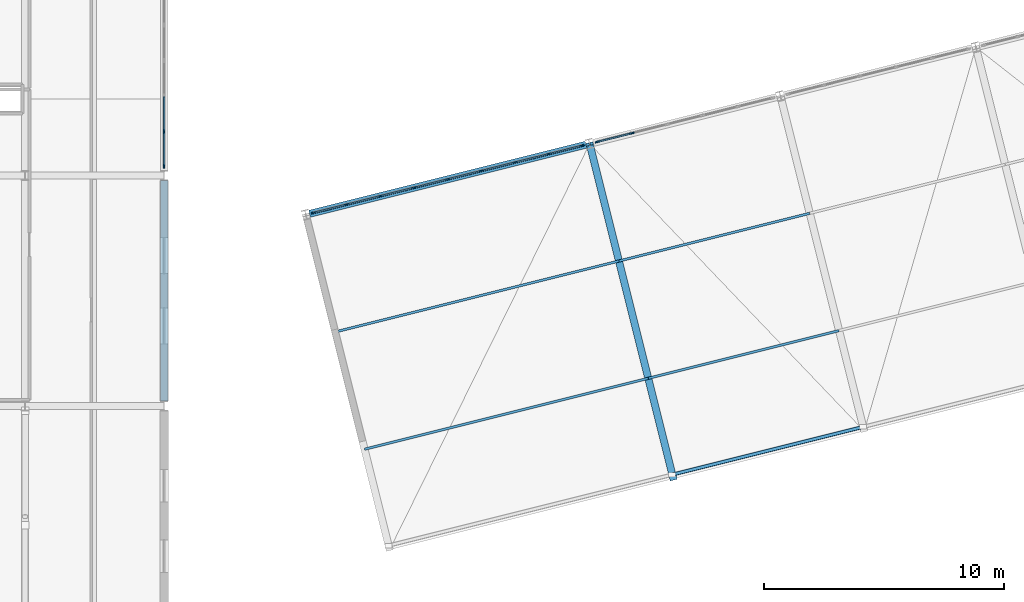
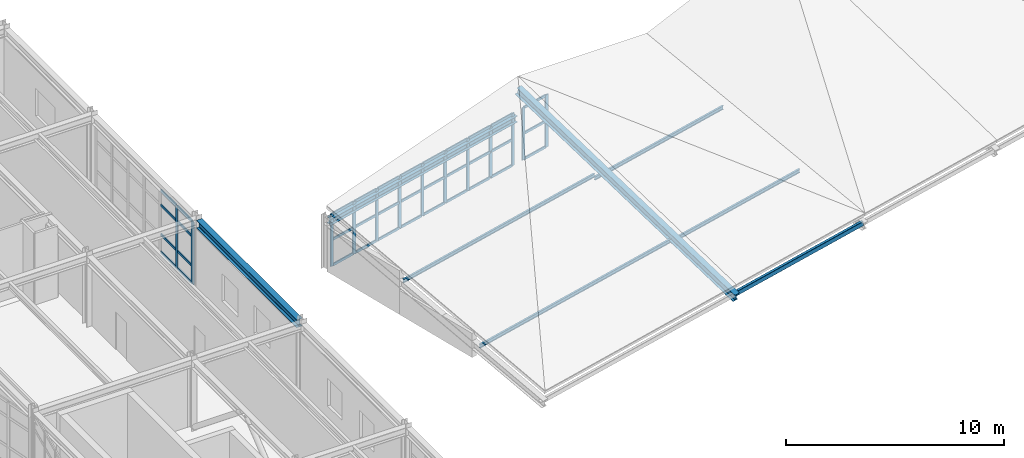
# One storey, part 10 of 47: 54 members, 2 beams, 3 elements without a shape of their own.
"""IFC4 building model written with IfcOpenShell, lengths in metres."""

from ifc_helpers import new_model, si_unit, direction, frame, origin, origin_2d, place, context, subcontext, project, spatial, rectangle, hollow_rectangle, i_section, extrude, material, layer, layer_set, material_profile, profile_set, type_object, element, aggregate, save


model = new_model("IFC4")

# Units and contexts
model_context = context("Model", 3, precision=1e-05, world=origin(), true_north=direction((0.0, 1.0)))
body_context = subcontext(model_context, "Body", "Model", "MODEL_VIEW")
ifc_project = project(units=[si_unit("LENGTHUNIT", "METRE"), si_unit("AREAUNIT", "SQUARE_METRE"), si_unit("VOLUMEUNIT", "CUBIC_METRE"), si_unit("PLANEANGLEUNIT", "RADIAN"), si_unit("MASSUNIT", "GRAM", prefix="KILO")], contexts=[model_context])

# Site, building, storey
site_placement = place(None, origin())
site = spatial("IfcSite", under=ifc_project, at=site_placement, CompositionType="ELEMENT")
building_placement = place(site_placement, origin())
building = spatial("IfcBuilding", under=site, at=building_placement, Name="Nordkorset Police Headquarters", CompositionType="ELEMENT")
storey_placement = place(building_placement, frame((0.0, 0.0, 22.050048828125)))
storey = spatial("IfcBuildingStorey", under=building, at=storey_placement, Name="L05", CompositionType="ELEMENT", Elevation=22.050048828125)

# Curtain wall, members
ifc_material_1 = material(Name="Aluminium alloy AW-6060", Category="aluminium")
ifc_layer_1 = layer(ifc_material_1, 0.179931640625, Name="Aluminium alloy AW-6060")
ifc_layer_set_1 = layer_set([ifc_layer_1], Name="Aluminium alloy AW-6060")
curtain_wall_type_1 = type_object("IfcCurtainWallType", Name="CW_Unit_888x350", PredefinedType="USERDEFINED", material=ifc_layer_set_1)
curtain_wall_1_placement = place(storey_placement, origin())
curtain_wall_1 = element("IfcCurtainWall", 1, at=curtain_wall_1_placement, inside=storey, type_object=curtain_wall_type_1, Name="Unitised Curtain Wall L05 V3E-3", ObjectType="UNITISED CURTAIN WALL", PredefinedType="USERDEFINED")
ifc_material_2 = material(Name="Aluminium alloy AW-6060", Category="aluminium")
ifc_material_profile_1 = material_profile(ifc_material_2, rectangle(XDim=0.06494140625, YDim=0.179931640625, at=origin_2d()), Name="ALU MULL 65x180")
ifc_profile_set_1 = profile_set([ifc_material_profile_1], Name="Aluminium alloy AW-6060")
member_type_1 = type_object("IfcMemberType", Name="CW_Mullion_65x180", PredefinedType="MULLION", material=ifc_profile_set_1)
member_1_placement = place(storey_placement, frame((14.199951171875, 57.992431640625, 0.0), z_axis=(0.0, 0.0, 1.0), x_axis=(-1.0, 0.0, 0.0)))
member_1 = element("IfcMember", 2, at=member_1_placement, type_object=member_type_1, Name="CW-95 mullion 1", PredefinedType="MULLION", context=body_context, shape_type="SweptSolid", body=[
    extrude(rectangle(XDim=0.06494140625, YDim=0.179931640625, at=origin_2d()), origin(), (0.0, 0.0, 1.0), 3.5048828125),
])
member_2_placement = place(storey_placement, frame((14.199951171875, 59.43994140625, 0.0), z_axis=(0.0, 0.0, 1.0), x_axis=(-1.0, 0.0, 0.0)))
member_2 = element("IfcMember", 3, at=member_2_placement, type_object=member_type_1, Name="CW-95 mullion 2", PredefinedType="MULLION", context=body_context, shape_type="SweptSolid", body=[
    extrude(rectangle(XDim=0.06494140625, YDim=0.179931640625, at=origin_2d()), origin(), (0.0, 0.0, 1.0), 3.5048828125),
])

ifc_material_3 = material(Name="Aluminium alloy AW-6060", Category="aluminium")
ifc_layer_2 = layer(ifc_material_3, 0.179931640625, Name="Aluminium alloy AW-6060")
ifc_layer_set_2 = layer_set([ifc_layer_2], Name="Aluminium alloy AW-6060")
curtain_wall_type_2 = type_object("IfcCurtainWallType", Name="CW_Unit_1160x293", PredefinedType="USERDEFINED", material=ifc_layer_set_2)
curtain_wall_2_placement = place(storey_placement, origin())
curtain_wall_2 = element("IfcCurtainWall", 4, at=curtain_wall_2_placement, inside=storey, type_object=curtain_wall_type_2, Name="Unitised Curtain Wall L05 V4CLER-0", ObjectType="UNITISED CURTAIN WALL", PredefinedType="USERDEFINED")
member_3_placement = place(storey_placement, frame((20.43017578125, 56.05078125, 0.0), z_axis=(0.0, 0.0, 1.0), x_axis=(-0.242536233563, 0.970142348013, 0.0)))
member_3 = element("IfcMember", 5, at=member_3_placement, type_object=member_type_1, Name="CW-92 mullion 1", PredefinedType="MULLION", context=body_context, shape_type="SweptSolid", body=[
    extrude(rectangle(XDim=0.06494140625, YDim=0.179931640625, at=origin_2d()), origin(), (0.0, 0.0, 1.0), 2.929931640625),
])
member_4_placement = place(storey_placement, frame((21.80517578125, 56.39453125, 0.0), z_axis=(0.0, 0.0, 1.0), x_axis=(-0.242536233563, 0.970142348013, 0.0)))
member_4 = element("IfcMember", 6, at=member_4_placement, type_object=member_type_1, Name="CW-92 mullion 2", PredefinedType="MULLION", context=body_context, shape_type="SweptSolid", body=[
    extrude(rectangle(XDim=0.06494140625, YDim=0.179931640625, at=origin_2d()), origin(), (0.0, 0.0, 1.0), 2.929931640625),
])
member_5_placement = place(storey_placement, frame((23.2119140625, 56.74609375, 0.0), z_axis=(0.0, 0.0, 1.0), x_axis=(-0.242536233563, 0.970142348013, 0.0)))
member_5 = element("IfcMember", 7, at=member_5_placement, type_object=member_type_1, Name="CW-92 mullion 3", PredefinedType="MULLION", context=body_context, shape_type="SweptSolid", body=[
    extrude(rectangle(XDim=0.06494140625, YDim=0.179931640625, at=origin_2d()), origin(), (0.0, 0.0, 1.0), 2.929931640625),
])
member_6_placement = place(storey_placement, frame((24.61865234375, 57.097900390625, 0.0), z_axis=(0.0, 0.0, 1.0), x_axis=(-0.242536233563, 0.970142348013, 0.0)))
member_6 = element("IfcMember", 8, at=member_6_placement, type_object=member_type_1, Name="CW-92 mullion 4", PredefinedType="MULLION", context=body_context, shape_type="SweptSolid", body=[
    extrude(rectangle(XDim=0.06494140625, YDim=0.179931640625, at=origin_2d()), origin(), (0.0, 0.0, 1.0), 2.929931640625),
])
member_7_placement = place(storey_placement, frame((26.025390625, 57.449462890625, 0.0), z_axis=(0.0, 0.0, 1.0), x_axis=(-0.242536233563, 0.970142348013, 0.0)))
member_7 = element("IfcMember", 9, at=member_7_placement, type_object=member_type_1, Name="CW-92 mullion 5", PredefinedType="MULLION", context=body_context, shape_type="SweptSolid", body=[
    extrude(rectangle(XDim=0.06494140625, YDim=0.179931640625, at=origin_2d()), origin(), (0.0, 0.0, 1.0), 2.929931640625),
])
member_8_placement = place(storey_placement, frame((27.43212890625, 57.80126953125, 0.0), z_axis=(0.0, 0.0, 1.0), x_axis=(-0.242536233563, 0.970142348013, 0.0)))
member_8 = element("IfcMember", 10, at=member_8_placement, type_object=member_type_1, Name="CW-92 mullion 6", PredefinedType="MULLION", context=body_context, shape_type="SweptSolid", body=[
    extrude(rectangle(XDim=0.06494140625, YDim=0.179931640625, at=origin_2d()), origin(), (0.0, 0.0, 1.0), 2.929931640625),
])
member_9_placement = place(storey_placement, frame((28.8388671875, 58.15283203125, 0.0), z_axis=(0.0, 0.0, 1.0), x_axis=(-0.242536233563, 0.970142348013, 0.0)))
member_9 = element("IfcMember", 11, at=member_9_placement, type_object=member_type_1, Name="CW-92 mullion 7", PredefinedType="MULLION", context=body_context, shape_type="SweptSolid", body=[
    extrude(rectangle(XDim=0.06494140625, YDim=0.179931640625, at=origin_2d()), origin(), (0.0, 0.0, 1.0), 2.929931640625),
])
member_10_placement = place(storey_placement, frame((30.245361328125, 58.504638671875, 0.0), z_axis=(0.0, 0.0, 1.0), x_axis=(-0.242536233563, 0.970142348013, 0.0)))
member_10 = element("IfcMember", 12, at=member_10_placement, type_object=member_type_1, Name="CW-92 mullion 8", PredefinedType="MULLION", context=body_context, shape_type="SweptSolid", body=[
    extrude(rectangle(XDim=0.06494140625, YDim=0.179931640625, at=origin_2d()), origin(), (0.0, 0.0, 1.0), 2.929931640625),
])
member_11_placement = place(storey_placement, frame((31.62060546875, 58.848388671875, 0.0), z_axis=(0.0, 0.0, 1.0), x_axis=(-0.242536233563, 0.970142348013, 0.0)))
member_11 = element("IfcMember", 13, at=member_11_placement, type_object=member_type_1, Name="CW-92 mullion 9", PredefinedType="MULLION", context=body_context, shape_type="SweptSolid", body=[
    extrude(rectangle(XDim=0.06494140625, YDim=0.179931640625, at=origin_2d()), origin(), (0.0, 0.0, 1.0), 2.929931640625),
])

ifc_material_4 = material(Name="Aluminium alloy AW-6060", Category="aluminium")
ifc_layer_3 = layer(ifc_material_4, 0.179931640625, Name="Aluminium alloy AW-6060")
ifc_layer_set_3 = layer_set([ifc_layer_3], Name="Aluminium alloy AW-6060")
curtain_wall_type_3 = type_object("IfcCurtainWallType", Name="CW_Unit_760x293", PredefinedType="USERDEFINED", material=ifc_layer_set_3)
curtain_wall_3_placement = place(storey_placement, origin())
curtain_wall_3 = element("IfcCurtainWall", 14, at=curtain_wall_3_placement, inside=storey, type_object=curtain_wall_type_3, Name="Unitised Curtain Wall L05 V4CLER-1", ObjectType="UNITISED CURTAIN WALL", PredefinedType="USERDEFINED")
member_12_placement = place(storey_placement, frame((32.265869140625, 59.009521484375, 0.0), z_axis=(0.0, 0.0, 1.0), x_axis=(-0.242535625038, 0.970142500145, 0.0)))
member_12 = element("IfcMember", 15, at=member_12_placement, type_object=member_type_1, Name="CW-94 mullion 1", PredefinedType="MULLION", context=body_context, shape_type="SweptSolid", body=[
    extrude(rectangle(XDim=0.06494140625, YDim=0.179931640625, at=origin_2d()), origin(), (0.0, 0.0, 1.0), 2.929931640625),
])
member_13_placement = place(storey_placement, frame((33.708984375, 59.370361328125, 0.0), z_axis=(0.0, 0.0, 1.0), x_axis=(-0.242535625038, 0.970142500145, 0.0)))
member_13 = element("IfcMember", 16, at=member_13_placement, type_object=member_type_1, Name="CW-94 mullion 2", PredefinedType="MULLION", context=body_context, shape_type="SweptSolid", body=[
    extrude(rectangle(XDim=0.06494140625, YDim=0.179931640625, at=origin_2d()), origin(), (0.0, 0.0, 1.0), 2.929931640625),
])

# Member
ifc_material_5 = material(Name="Aluminium alloy AW-6060", Category="aluminium")
ifc_material_profile_2 = material_profile(ifc_material_5, rectangle(XDim=0.06494140625, YDim=0.139892578125, at=origin_2d()), Name="ALU TRAN 65x140")
ifc_profile_set_2 = profile_set([ifc_material_profile_2], Name="Aluminium alloy AW-6060")
member_type_2 = type_object("IfcMemberType", Name="CW_Transom_65x140", PredefinedType="USERDEFINED", material=ifc_profile_set_2)
member_14_placement = place(storey_placement, frame((14.199951171875, 58.02490234375, 0.032470703125), z_axis=(0.0, 1.0, 0.0), x_axis=(-1.0, 0.0, 0.0)))
member_14 = element("IfcMember", 17, at=member_14_placement, type_object=member_type_2, Name="CW-95 transom 1.1", ObjectType="TRANSOM", PredefinedType="USERDEFINED", context=body_context, shape_type="SweptSolid", body=[
    extrude(rectangle(XDim=0.06494140625, YDim=0.139892578125, at=origin_2d()), origin(), (0.0, 0.0, 1.0), 1.382568359375),
])

member_15_placement = place(storey_placement, frame((14.199951171875, 58.02490234375, 1.0), z_axis=(0.0, 1.0, 0.0), x_axis=(-1.0, 0.0, 0.0)))
member_15 = element("IfcMember", 18, at=member_15_placement, type_object=member_type_2, Name="CW-95 transom 1.2", ObjectType="TRANSOM", PredefinedType="USERDEFINED", context=body_context, shape_type="SweptSolid", body=[
    extrude(rectangle(XDim=0.06494140625, YDim=0.139892578125, at=origin_2d()), origin(), (0.0, 0.0, 1.0), 1.382568359375),
])

member_16_placement = place(storey_placement, frame((14.199951171875, 58.02490234375, 2.655029296875), z_axis=(0.0, 1.0, 0.0), x_axis=(-1.0, 0.0, 0.0)))
member_16 = element("IfcMember", 19, at=member_16_placement, type_object=member_type_2, Name="CW-95 transom 1.3", ObjectType="TRANSOM", PredefinedType="USERDEFINED", context=body_context, shape_type="SweptSolid", body=[
    extrude(rectangle(XDim=0.06494140625, YDim=0.139892578125, at=origin_2d()), origin(), (0.0, 0.0, 1.0), 1.382568359375),
])

member_17_placement = place(storey_placement, frame((14.199951171875, 58.02490234375, 3.472412109375), z_axis=(0.0, 1.0, 0.0), x_axis=(-1.0, 0.0, 0.0)))
member_17 = element("IfcMember", 20, at=member_17_placement, type_object=member_type_2, Name="CW-95 transom 1.4", ObjectType="TRANSOM", PredefinedType="USERDEFINED", context=body_context, shape_type="SweptSolid", body=[
    extrude(rectangle(XDim=0.06494140625, YDim=0.139892578125, at=origin_2d()), origin(), (0.0, 0.0, 1.0), 1.382568359375),
])

member_18_placement = place(storey_placement, frame((14.199951171875, 59.472412109375, 0.032470703125), z_axis=(0.0, 1.0, 0.0), x_axis=(-1.0, 0.0, 0.0)))
member_18 = element("IfcMember", 21, at=member_18_placement, type_object=member_type_2, Name="CW-95 transom 2.1", ObjectType="TRANSOM", PredefinedType="USERDEFINED", context=body_context, shape_type="SweptSolid", body=[
    extrude(rectangle(XDim=0.06494140625, YDim=0.139892578125, at=origin_2d()), origin(), (0.0, 0.0, 1.0), 1.4150390625),
])

member_19_placement = place(storey_placement, frame((14.199951171875, 59.472412109375, 1.0), z_axis=(0.0, 1.0, 0.0), x_axis=(-1.0, 0.0, 0.0)))
member_19 = element("IfcMember", 22, at=member_19_placement, type_object=member_type_2, Name="CW-95 transom 2.2", ObjectType="TRANSOM", PredefinedType="USERDEFINED", context=body_context, shape_type="SweptSolid", body=[
    extrude(rectangle(XDim=0.06494140625, YDim=0.139892578125, at=origin_2d()), origin(), (0.0, 0.0, 1.0), 1.4150390625),
])

member_20_placement = place(storey_placement, frame((14.199951171875, 59.472412109375, 2.655029296875), z_axis=(0.0, 1.0, 0.0), x_axis=(-1.0, 0.0, 0.0)))
member_20 = element("IfcMember", 23, at=member_20_placement, type_object=member_type_2, Name="CW-95 transom 2.3", ObjectType="TRANSOM", PredefinedType="USERDEFINED", context=body_context, shape_type="SweptSolid", body=[
    extrude(rectangle(XDim=0.06494140625, YDim=0.139892578125, at=origin_2d()), origin(), (0.0, 0.0, 1.0), 1.4150390625),
])

member_21_placement = place(storey_placement, frame((14.199951171875, 59.472412109375, 3.472412109375), z_axis=(0.0, 1.0, 0.0), x_axis=(-1.0, 0.0, 0.0)))
member_21 = element("IfcMember", 24, at=member_21_placement, type_object=member_type_2, Name="CW-95 transom 2.4", ObjectType="TRANSOM", PredefinedType="USERDEFINED", context=body_context, shape_type="SweptSolid", body=[
    extrude(rectangle(XDim=0.06494140625, YDim=0.139892578125, at=origin_2d()), origin(), (0.0, 0.0, 1.0), 1.4150390625),
])

aggregate(curtain_wall_1, [member_1, member_2, member_14, member_15, member_16, member_17, member_18, member_19, member_20, member_21])

member_22_placement = place(storey_placement, frame((20.461669921875, 56.05859375, 0.032470703125), z_axis=(0.97012125863, 0.242620575288, 0.0), x_axis=(-0.242620575288, 0.97012125863, 0.0)))
member_22 = element("IfcMember", 25, at=member_22_placement, type_object=member_type_2, Name="CW-92 transom 1.1", ObjectType="TRANSOM", PredefinedType="USERDEFINED", context=body_context, shape_type="SweptSolid", body=[
    extrude(rectangle(XDim=0.06494140625, YDim=0.139892578125, at=origin_2d()), origin(), (0.0, 0.0, 1.0), 1.3525390625),
])

member_23_placement = place(storey_placement, frame((20.461669921875, 56.05859375, 1.46484375), z_axis=(0.97012125863, 0.242620575288, 0.0), x_axis=(-0.242620575288, 0.97012125863, 0.0)))
member_23 = element("IfcMember", 26, at=member_23_placement, type_object=member_type_2, Name="CW-92 transom 1.2", ObjectType="TRANSOM", PredefinedType="USERDEFINED", context=body_context, shape_type="SweptSolid", body=[
    extrude(rectangle(XDim=0.06494140625, YDim=0.139892578125, at=origin_2d()), origin(), (0.0, 0.0, 1.0), 1.3525390625),
])

member_24_placement = place(storey_placement, frame((20.461669921875, 56.05859375, 2.8974609375), z_axis=(0.97012125863, 0.242620575288, 0.0), x_axis=(-0.242620575288, 0.97012125863, 0.0)))
member_24 = element("IfcMember", 27, at=member_24_placement, type_object=member_type_2, Name="CW-92 transom 1.3", ObjectType="TRANSOM", PredefinedType="USERDEFINED", context=body_context, shape_type="SweptSolid", body=[
    extrude(rectangle(XDim=0.06494140625, YDim=0.139892578125, at=origin_2d()), origin(), (0.0, 0.0, 1.0), 1.3525390625),
])

member_25_placement = place(storey_placement, frame((21.836669921875, 56.40234375, 0.032470703125), z_axis=(0.970142500145, 0.242535625036, 0.0), x_axis=(-0.242535625036, 0.970142500145, 0.0)))
member_25 = element("IfcMember", 28, at=member_25_placement, type_object=member_type_2, Name="CW-92 transom 2.1", ObjectType="TRANSOM", PredefinedType="USERDEFINED", context=body_context, shape_type="SweptSolid", body=[
    extrude(rectangle(XDim=0.06494140625, YDim=0.139892578125, at=origin_2d()), origin(), (0.0, 0.0, 1.0), 1.385009765625),
])

member_26_placement = place(storey_placement, frame((21.836669921875, 56.40234375, 1.46484375), z_axis=(0.970142500145, 0.242535625036, 0.0), x_axis=(-0.242535625036, 0.970142500145, 0.0)))
member_26 = element("IfcMember", 29, at=member_26_placement, type_object=member_type_2, Name="CW-92 transom 2.2", ObjectType="TRANSOM", PredefinedType="USERDEFINED", context=body_context, shape_type="SweptSolid", body=[
    extrude(rectangle(XDim=0.06494140625, YDim=0.139892578125, at=origin_2d()), origin(), (0.0, 0.0, 1.0), 1.385009765625),
])

member_27_placement = place(storey_placement, frame((21.836669921875, 56.40234375, 2.8974609375), z_axis=(0.970142500145, 0.242535625036, 0.0), x_axis=(-0.242535625036, 0.970142500145, 0.0)))
member_27 = element("IfcMember", 30, at=member_27_placement, type_object=member_type_2, Name="CW-92 transom 2.3", ObjectType="TRANSOM", PredefinedType="USERDEFINED", context=body_context, shape_type="SweptSolid", body=[
    extrude(rectangle(XDim=0.06494140625, YDim=0.139892578125, at=origin_2d()), origin(), (0.0, 0.0, 1.0), 1.385009765625),
])

member_28_placement = place(storey_placement, frame((23.243408203125, 56.754150390625, 0.032470703125), z_axis=(0.970183960993, 0.24236972136, 0.0), x_axis=(-0.24236972136, 0.970183960993, 0.0)))
member_28 = element("IfcMember", 31, at=member_28_placement, type_object=member_type_2, Name="CW-92 transom 3.1", ObjectType="TRANSOM", PredefinedType="USERDEFINED", context=body_context, shape_type="SweptSolid", body=[
    extrude(rectangle(XDim=0.06494140625, YDim=0.139892578125, at=origin_2d()), origin(), (0.0, 0.0, 1.0), 1.385009765625),
])

member_29_placement = place(storey_placement, frame((23.243408203125, 56.754150390625, 1.46484375), z_axis=(0.970183960993, 0.24236972136, 0.0), x_axis=(-0.24236972136, 0.970183960993, 0.0)))
member_29 = element("IfcMember", 32, at=member_29_placement, type_object=member_type_2, Name="CW-92 transom 3.2", ObjectType="TRANSOM", PredefinedType="USERDEFINED", context=body_context, shape_type="SweptSolid", body=[
    extrude(rectangle(XDim=0.06494140625, YDim=0.139892578125, at=origin_2d()), origin(), (0.0, 0.0, 1.0), 1.385009765625),
])

member_30_placement = place(storey_placement, frame((23.243408203125, 56.754150390625, 2.8974609375), z_axis=(0.970183960993, 0.24236972136, 0.0), x_axis=(-0.24236972136, 0.970183960993, 0.0)))
member_30 = element("IfcMember", 33, at=member_30_placement, type_object=member_type_2, Name="CW-92 transom 3.3", ObjectType="TRANSOM", PredefinedType="USERDEFINED", context=body_context, shape_type="SweptSolid", body=[
    extrude(rectangle(XDim=0.06494140625, YDim=0.139892578125, at=origin_2d()), origin(), (0.0, 0.0, 1.0), 1.385009765625),
])

member_31_placement = place(storey_placement, frame((24.650146484375, 57.105712890625, 0.032470703125), z_axis=(0.970142500145, 0.242535625036, 0.0), x_axis=(-0.242535625036, 0.970142500145, 0.0)))
member_31 = element("IfcMember", 34, at=member_31_placement, type_object=member_type_2, Name="CW-92 transom 4.1", ObjectType="TRANSOM", PredefinedType="USERDEFINED", context=body_context, shape_type="SweptSolid", body=[
    extrude(rectangle(XDim=0.06494140625, YDim=0.139892578125, at=origin_2d()), origin(), (0.0, 0.0, 1.0), 1.385009765625),
])

member_32_placement = place(storey_placement, frame((24.650146484375, 57.105712890625, 1.46484375), z_axis=(0.970142500145, 0.242535625036, 0.0), x_axis=(-0.242535625036, 0.970142500145, 0.0)))
member_32 = element("IfcMember", 35, at=member_32_placement, type_object=member_type_2, Name="CW-92 transom 4.2", ObjectType="TRANSOM", PredefinedType="USERDEFINED", context=body_context, shape_type="SweptSolid", body=[
    extrude(rectangle(XDim=0.06494140625, YDim=0.139892578125, at=origin_2d()), origin(), (0.0, 0.0, 1.0), 1.385009765625),
])

member_33_placement = place(storey_placement, frame((24.650146484375, 57.105712890625, 2.8974609375), z_axis=(0.970142500145, 0.242535625036, 0.0), x_axis=(-0.242535625036, 0.970142500145, 0.0)))
member_33 = element("IfcMember", 36, at=member_33_placement, type_object=member_type_2, Name="CW-92 transom 4.3", ObjectType="TRANSOM", PredefinedType="USERDEFINED", context=body_context, shape_type="SweptSolid", body=[
    extrude(rectangle(XDim=0.06494140625, YDim=0.139892578125, at=origin_2d()), origin(), (0.0, 0.0, 1.0), 1.385009765625),
])

member_34_placement = place(storey_placement, frame((26.056884765625, 57.45751953125, 0.032470703125), z_axis=(0.970183960993, 0.24236972136, 0.0), x_axis=(-0.24236972136, 0.970183960993, 0.0)))
member_34 = element("IfcMember", 37, at=member_34_placement, type_object=member_type_2, Name="CW-92 transom 5.1", ObjectType="TRANSOM", PredefinedType="USERDEFINED", context=body_context, shape_type="SweptSolid", body=[
    extrude(rectangle(XDim=0.06494140625, YDim=0.139892578125, at=origin_2d()), origin(), (0.0, 0.0, 1.0), 1.385009765625),
])

member_35_placement = place(storey_placement, frame((26.056884765625, 57.45751953125, 1.46484375), z_axis=(0.970183960993, 0.24236972136, 0.0), x_axis=(-0.24236972136, 0.970183960993, 0.0)))
member_35 = element("IfcMember", 38, at=member_35_placement, type_object=member_type_2, Name="CW-92 transom 5.2", ObjectType="TRANSOM", PredefinedType="USERDEFINED", context=body_context, shape_type="SweptSolid", body=[
    extrude(rectangle(XDim=0.06494140625, YDim=0.139892578125, at=origin_2d()), origin(), (0.0, 0.0, 1.0), 1.385009765625),
])

member_36_placement = place(storey_placement, frame((26.056884765625, 57.45751953125, 2.8974609375), z_axis=(0.970183960993, 0.24236972136, 0.0), x_axis=(-0.24236972136, 0.970183960993, 0.0)))
member_36 = element("IfcMember", 39, at=member_36_placement, type_object=member_type_2, Name="CW-92 transom 5.3", ObjectType="TRANSOM", PredefinedType="USERDEFINED", context=body_context, shape_type="SweptSolid", body=[
    extrude(rectangle(XDim=0.06494140625, YDim=0.139892578125, at=origin_2d()), origin(), (0.0, 0.0, 1.0), 1.385009765625),
])

member_37_placement = place(storey_placement, frame((27.463623046875, 57.80908203125, 0.032470703125), z_axis=(0.97013212917, 0.242577105168, 0.0), x_axis=(-0.242577105168, 0.97013212917, 0.0)))
member_37 = element("IfcMember", 40, at=member_37_placement, type_object=member_type_2, Name="CW-92 transom 6.1", ObjectType="TRANSOM", PredefinedType="USERDEFINED", context=body_context, shape_type="SweptSolid", body=[
    extrude(rectangle(XDim=0.06494140625, YDim=0.139892578125, at=origin_2d()), origin(), (0.0, 0.0, 1.0), 1.384765625),
])

member_38_placement = place(storey_placement, frame((27.463623046875, 57.80908203125, 1.46484375), z_axis=(0.97013212917, 0.242577105168, 0.0), x_axis=(-0.242577105168, 0.97013212917, 0.0)))
member_38 = element("IfcMember", 41, at=member_38_placement, type_object=member_type_2, Name="CW-92 transom 6.2", ObjectType="TRANSOM", PredefinedType="USERDEFINED", context=body_context, shape_type="SweptSolid", body=[
    extrude(rectangle(XDim=0.06494140625, YDim=0.139892578125, at=origin_2d()), origin(), (0.0, 0.0, 1.0), 1.384765625),
])

member_39_placement = place(storey_placement, frame((27.463623046875, 57.80908203125, 2.8974609375), z_axis=(0.97013212917, 0.242577105168, 0.0), x_axis=(-0.242577105168, 0.97013212917, 0.0)))
member_39 = element("IfcMember", 42, at=member_39_placement, type_object=member_type_2, Name="CW-92 transom 6.3", ObjectType="TRANSOM", PredefinedType="USERDEFINED", context=body_context, shape_type="SweptSolid", body=[
    extrude(rectangle(XDim=0.06494140625, YDim=0.139892578125, at=origin_2d()), origin(), (0.0, 0.0, 1.0), 1.384765625),
])

member_40_placement = place(storey_placement, frame((28.870361328125, 58.16064453125, 0.032470703125), z_axis=(0.97013212917, 0.242577105168, 0.0), x_axis=(-0.242577105168, 0.97013212917, 0.0)))
member_40 = element("IfcMember", 43, at=member_40_placement, type_object=member_type_2, Name="CW-92 transom 7.1", ObjectType="TRANSOM", PredefinedType="USERDEFINED", context=body_context, shape_type="SweptSolid", body=[
    extrude(rectangle(XDim=0.06494140625, YDim=0.139892578125, at=origin_2d()), origin(), (0.0, 0.0, 1.0), 1.384765625),
])

member_41_placement = place(storey_placement, frame((28.870361328125, 58.16064453125, 1.46484375), z_axis=(0.97013212917, 0.242577105168, 0.0), x_axis=(-0.242577105168, 0.97013212917, 0.0)))
member_41 = element("IfcMember", 44, at=member_41_placement, type_object=member_type_2, Name="CW-92 transom 7.2", ObjectType="TRANSOM", PredefinedType="USERDEFINED", context=body_context, shape_type="SweptSolid", body=[
    extrude(rectangle(XDim=0.06494140625, YDim=0.139892578125, at=origin_2d()), origin(), (0.0, 0.0, 1.0), 1.384765625),
])

member_42_placement = place(storey_placement, frame((28.870361328125, 58.16064453125, 2.8974609375), z_axis=(0.97013212917, 0.242577105168, 0.0), x_axis=(-0.242577105168, 0.97013212917, 0.0)))
member_42 = element("IfcMember", 45, at=member_42_placement, type_object=member_type_2, Name="CW-92 transom 7.3", ObjectType="TRANSOM", PredefinedType="USERDEFINED", context=body_context, shape_type="SweptSolid", body=[
    extrude(rectangle(XDim=0.06494140625, YDim=0.139892578125, at=origin_2d()), origin(), (0.0, 0.0, 1.0), 1.384765625),
])

member_43_placement = place(storey_placement, frame((30.277099609375, 58.512451171875, 0.032470703125), z_axis=(0.97012125863, 0.242620575288, 0.0), x_axis=(-0.242620575288, 0.97012125863, 0.0)))
member_43 = element("IfcMember", 46, at=member_43_placement, type_object=member_type_2, Name="CW-92 transom 8.1", ObjectType="TRANSOM", PredefinedType="USERDEFINED", context=body_context, shape_type="SweptSolid", body=[
    extrude(rectangle(XDim=0.06494140625, YDim=0.139892578125, at=origin_2d()), origin(), (0.0, 0.0, 1.0), 1.3525390625),
])

member_44_placement = place(storey_placement, frame((30.277099609375, 58.512451171875, 1.46484375), z_axis=(0.97012125863, 0.242620575288, 0.0), x_axis=(-0.242620575288, 0.97012125863, 0.0)))
member_44 = element("IfcMember", 47, at=member_44_placement, type_object=member_type_2, Name="CW-92 transom 8.2", ObjectType="TRANSOM", PredefinedType="USERDEFINED", context=body_context, shape_type="SweptSolid", body=[
    extrude(rectangle(XDim=0.06494140625, YDim=0.139892578125, at=origin_2d()), origin(), (0.0, 0.0, 1.0), 1.3525390625),
])

member_45_placement = place(storey_placement, frame((30.277099609375, 58.512451171875, 2.8974609375), z_axis=(0.97012125863, 0.242620575288, 0.0), x_axis=(-0.242620575288, 0.97012125863, 0.0)))
member_45 = element("IfcMember", 48, at=member_45_placement, type_object=member_type_2, Name="CW-92 transom 8.3", ObjectType="TRANSOM", PredefinedType="USERDEFINED", context=body_context, shape_type="SweptSolid", body=[
    extrude(rectangle(XDim=0.06494140625, YDim=0.139892578125, at=origin_2d()), origin(), (0.0, 0.0, 1.0), 1.3525390625),
])

aggregate(curtain_wall_2, [member_3, member_4, member_5, member_6, member_7, member_8, member_9, member_10, member_11, member_22, member_23, member_24, member_25, member_26, member_27, member_28, member_29, member_30, member_31, member_32, member_33, member_34, member_35, member_36, member_37, member_38, member_39, member_40, member_41, member_42, member_43, member_44, member_45])

member_46_placement = place(storey_placement, frame((32.29736328125, 59.017578125, 0.032470703125), z_axis=(0.970142500145, 0.242535625036, 0.0), x_axis=(-0.242535625036, 0.970142500145, 0.0)))
member_46 = element("IfcMember", 49, at=member_46_placement, type_object=member_type_2, Name="CW-94 transom 1.1", ObjectType="TRANSOM", PredefinedType="USERDEFINED", context=body_context, shape_type="SweptSolid", body=[
    extrude(rectangle(XDim=0.06494140625, YDim=0.139892578125, at=origin_2d()), origin(), (0.0, 0.0, 1.0), 1.42236328125),
])

member_47_placement = place(storey_placement, frame((32.29736328125, 59.017578125, 1.46484375), z_axis=(0.970142500145, 0.242535625036, 0.0), x_axis=(-0.242535625036, 0.970142500145, 0.0)))
member_47 = element("IfcMember", 50, at=member_47_placement, type_object=member_type_2, Name="CW-94 transom 1.2", ObjectType="TRANSOM", PredefinedType="USERDEFINED", context=body_context, shape_type="SweptSolid", body=[
    extrude(rectangle(XDim=0.06494140625, YDim=0.139892578125, at=origin_2d()), origin(), (0.0, 0.0, 1.0), 1.42236328125),
])

member_48_placement = place(storey_placement, frame((32.29736328125, 59.017578125, 2.8974609375), z_axis=(0.970142500145, 0.242535625036, 0.0), x_axis=(-0.242535625036, 0.970142500145, 0.0)))
member_48 = element("IfcMember", 51, at=member_48_placement, type_object=member_type_2, Name="CW-94 transom 1.3", ObjectType="TRANSOM", PredefinedType="USERDEFINED", context=body_context, shape_type="SweptSolid", body=[
    extrude(rectangle(XDim=0.06494140625, YDim=0.139892578125, at=origin_2d()), origin(), (0.0, 0.0, 1.0), 1.42236328125),
])

aggregate(curtain_wall_3, [member_12, member_13, member_46, member_47, member_48])

ifc_material_6 = material(Name="Steel S355J2", Category="steel")
ifc_material_profile_3 = material_profile(ifc_material_6, hollow_rectangle(XDim=0.14990234375, YDim=0.25, WallThickness=0.010009765625, InnerFilletRadius=0.010009765625, OuterFilletRadius=0.02001953125, at=origin_2d()), Name="RHS 250x150x10")
ifc_profile_set_3 = profile_set([ifc_material_profile_3], Name="Steel S355J2")
member_type_3 = type_object("IfcMemberType", Name="Chord_RHS_250x150x10", PredefinedType="CHORD", material=ifc_profile_set_3)
member_49_placement = place(storey_placement, frame((35.39794921875, 45.135009765625, -0.2099609375), z_axis=(0.970142500145, 0.242535625036, 0.0), x_axis=(-0.242535625036, 0.970142500145, 0.0)))
element("IfcMember", 52, at=member_49_placement, inside=storey, type_object=member_type_3, Name="Splayed Wing Folded Roof Low Chord Bay 2", PredefinedType="CHORD", context=body_context, shape_type="SweptSolid", body=[
    extrude(hollow_rectangle(XDim=0.14990234375, YDim=0.25, WallThickness=0.010009765625, InnerFilletRadius=0.010009765625, OuterFilletRadius=0.02001953125, at=origin_2d()), origin(), (0.0, 0.0, 1.0), 8.187744140625),
])

# Beams
ifc_material_7 = material(Name="Steel S355J2", Category="steel")
ifc_material_profile_4 = material_profile(ifc_material_7, i_section(OverallWidth=0.300048828125, OverallDepth=0.35009765625, WebThickness=0.010009765625, FlangeThickness=0.017578125, FilletRadius=0.027099609375, at=origin_2d()), Name="HEA 360")
ifc_profile_set_4 = profile_set([ifc_material_profile_4], Name="Steel S355J2")
beam_type_1 = type_object("IfcBeamType", Name="Girder_HEA_360", PredefinedType="USERDEFINED", material=ifc_profile_set_4)
beam_1_placement = place(storey_placement, frame((20.2626953125, 56.0087890625, 2.58984375), z_axis=(0.970142500145, 0.242535625036, 0.0), x_axis=(-0.242535625036, 0.970142500145, 0.0)))
element("IfcBeam", 53, at=beam_1_placement, inside=storey, type_object=beam_type_1, Name="Splayed Wing Clerestory Roof Tie Girder 1", ObjectType="GIRDER", PredefinedType="USERDEFINED", context=body_context, shape_type="SweptSolid", body=[
    extrude(i_section(OverallWidth=0.300048828125, OverallDepth=0.35009765625, WebThickness=0.010009765625, FlangeThickness=0.017578125, FilletRadius=0.027099609375, at=origin_2d()), origin(), (0.0, 0.0, 1.0), 11.880126953125),
])
ifc_material_8 = material(Name="Steel S355J2", Category="steel")
ifc_material_profile_5 = material_profile(ifc_material_8, i_section(OverallWidth=0.300048828125, OverallDepth=0.43994140625, WebThickness=0.011474609375, FlangeThickness=0.02099609375, FilletRadius=0.027099609375, at=origin_2d()), Name="HEA 450")
ifc_profile_set_5 = profile_set([ifc_material_profile_5], Name="Steel S355J2")
beam_type_2 = type_object("IfcBeamType", Name="Girder_HEA_450", PredefinedType="USERDEFINED", material=ifc_profile_set_5)
beam_2_placement = place(storey_placement, frame((14.199951171875, 48.199951171875, 3.744873046875), z_axis=(0.0, 1.0, 0.0), x_axis=(-1.0, 0.0, 0.0)))
element("IfcBeam", 54, at=beam_2_placement, inside=storey, type_object=beam_type_2, Name="Girder V3 L05 GY-2-2", ObjectType="GIRDER", PredefinedType="USERDEFINED", context=body_context, shape_type="SweptSolid", body=[
    extrude(i_section(OverallWidth=0.300048828125, OverallDepth=0.43994140625, WebThickness=0.011474609375, FlangeThickness=0.02099609375, FilletRadius=0.027099609375, at=origin_2d()), origin(), (0.0, 0.0, 1.0), 9.199951171875),
])

# Members
ifc_material_9 = material(Name="Steel S355J2", Category="steel")
ifc_material_profile_6 = material_profile(ifc_material_9, i_section(OverallWidth=0.10009765625, OverallDepth=0.199951171875, WebThickness=0.005615234375, FlangeThickness=0.008544921875, FilletRadius=0.011962890625, at=origin_2d()), Name="IPE 200")
ifc_profile_set_6 = profile_set([ifc_material_profile_6], Name="Steel S355J2")
member_type_4 = type_object("IfcMemberType", Name="Purlin_IPE_200", PredefinedType="PURLIN", material=ifc_profile_set_6)
for number, where, z_axis, x_axis, name in (
    (55, (21.335693359375, 51.08203125, 1.850341796875), (0.970141321816, 0.242540338307, 0.0), (-0.242540338307, 0.970141321816, 0.0), "Splayed Wing Folded Roof Purlin Bay 1"),
    (56, (22.55810546875, 46.1923828125, 0.740966796875), (0.970141321816, 0.242540338307, 0.0), (-0.242540338307, 0.970141321816, 0.0), "Splayed Wing Folded Roof Purlin Bay 1"),
):
    element("IfcMember", number, at=place(storey_placement, frame(where, z_axis=z_axis, x_axis=x_axis)), inside=storey, type_object=member_type_4, Name=name, PredefinedType="PURLIN", context=body_context, shape_type="SweptSolid", body=[
        extrude(i_section(OverallWidth=0.10009765625, OverallDepth=0.199951171875, WebThickness=0.005615234375, FlangeThickness=0.008544921875, FilletRadius=0.011962890625, at=origin_2d()), origin(), (0.0, 0.0, 1.0), 12.18798828125),
    ])
for number, where, z_axis, x_axis, name in (
    (57, (33.17138671875, 54.041015625, 1.655517578125), (0.97014425404, 0.242528609348, 0.0), (-0.242528609348, 0.97014425404, 0.0), "Splayed Wing Folded Roof Purlin Bay 2"),
    (58, (34.393798828125, 49.1513671875, 0.65087890625), (0.97014425404, 0.242528609348, 0.0), (-0.242528609348, 0.97014425404, 0.0), "Splayed Wing Folded Roof Purlin Bay 2"),
):
    element("IfcMember", number, at=place(storey_placement, frame(where, z_axis=z_axis, x_axis=x_axis)), inside=storey, type_object=member_type_4, Name=name, PredefinedType="PURLIN", context=body_context, shape_type="SweptSolid", body=[
        extrude(i_section(OverallWidth=0.10009765625, OverallDepth=0.199951171875, WebThickness=0.005615234375, FlangeThickness=0.008544921875, FilletRadius=0.011962890625, at=origin_2d()), origin(), (0.0, 0.0, 1.0), 8.18798828125),
    ])
ifc_material_10 = material(Name="Steel S355J2", Category="steel")
ifc_material_profile_7 = material_profile(ifc_material_10, i_section(OverallWidth=0.300048828125, OverallDepth=0.43994140625, WebThickness=0.011474609375, FlangeThickness=0.02099609375, FilletRadius=0.027099609375, at=origin_2d()), Name="HEA 450")
ifc_profile_set_7 = profile_set([ifc_material_profile_7], Name="Steel S355J2")
member_type_5 = type_object("IfcMemberType", Name="Rafter_HEA_450", PredefinedType="RAFTER", material=ifc_profile_set_7)
member_50_placement = place(storey_placement, frame((31.945556640625, 58.919189453125, 4.079833984375), z_axis=(0.232068595337, -0.928225647917, -0.290759889957), x_axis=(0.970139503955, 0.242547609484, 0.0)))
element("IfcMember", 59, at=member_50_placement, inside=storey, type_object=member_type_5, Name="Splayed Wing Folded Roof Rafter 2", PredefinedType="RAFTER", context=body_context, shape_type="SweptSolid", body=[
    extrude(i_section(OverallWidth=0.300048828125, OverallDepth=0.43994140625, WebThickness=0.011474609375, FlangeThickness=0.02099609375, FilletRadius=0.027099609375, at=origin_2d()), origin(), (0.0, 0.0, 1.0), 15.029052734375),
])

save(model, "model.ifc")
